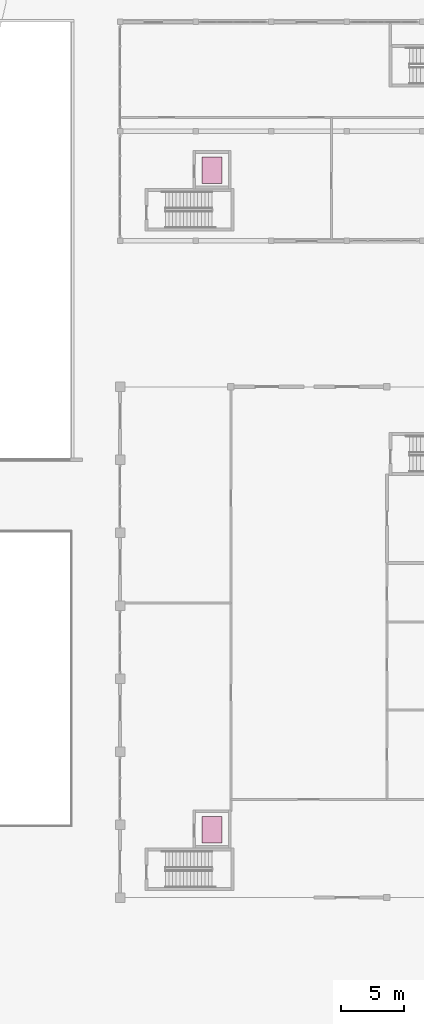
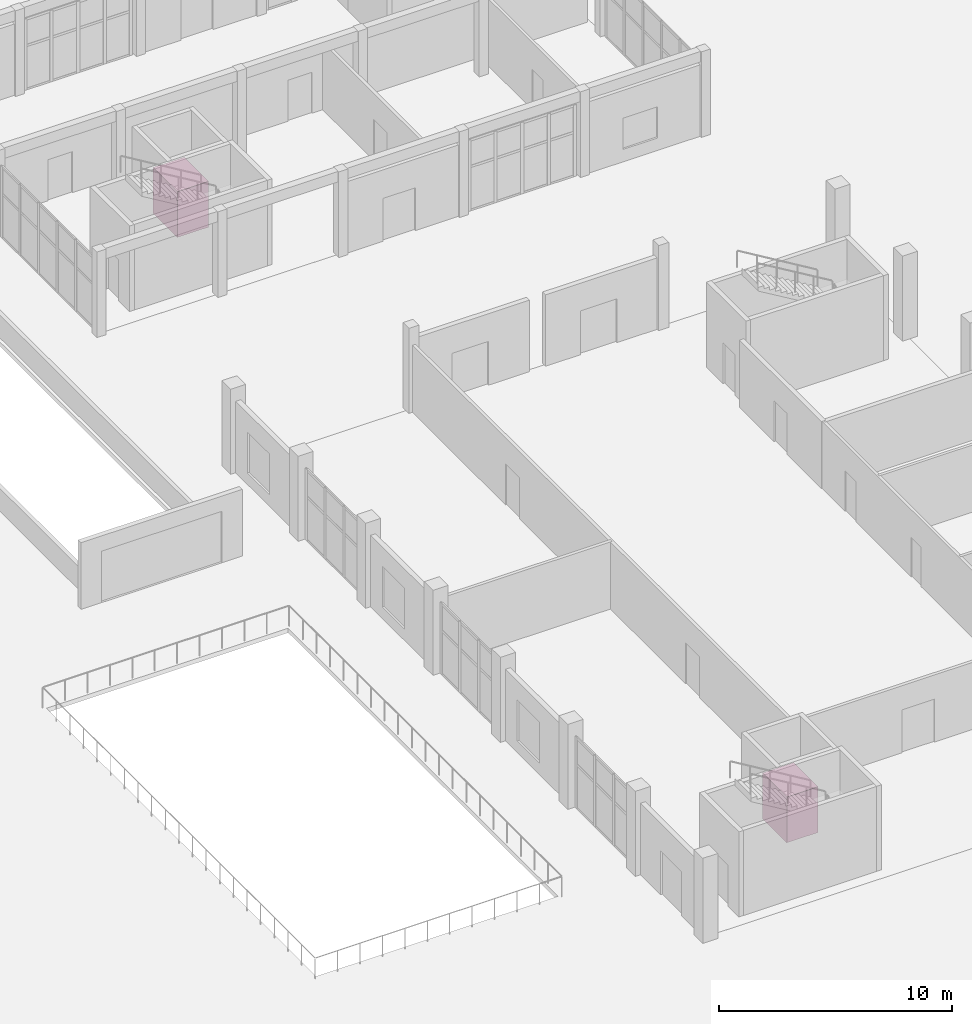
# One storey, part 132 of 132: 2 transport elements.
"""IFC4 building model written with IfcOpenShell, lengths in metres."""

from ifc_helpers import new_model, si_unit, direction, frame, origin, origin_2d, place, context, subcontext, project, spatial, rectangle, extrude, material, type_object, element, save


model = new_model("IFC4")

# Units and contexts
model_context = context("Model", 3, precision=1e-05, world=origin(), true_north=direction((0.0, 1.0)))
body_context = subcontext(model_context, "Body", "Model", "MODEL_VIEW")
ifc_project = project(units=[si_unit("LENGTHUNIT", "METRE"), si_unit("AREAUNIT", "SQUARE_METRE"), si_unit("VOLUMEUNIT", "CUBIC_METRE"), si_unit("PLANEANGLEUNIT", "RADIAN"), si_unit("MASSUNIT", "GRAM", prefix="KILO")], contexts=[model_context])

# Site, building, storey
site_placement = place(None, origin())
site = spatial("IfcSite", under=ifc_project, at=site_placement, CompositionType="ELEMENT")
building_placement = place(site_placement, origin())
building = spatial("IfcBuilding", under=site, at=building_placement, Name="Tanwirah Colonnade Gardens", CompositionType="ELEMENT")
storey_placement = place(building_placement, origin())
storey = spatial("IfcBuildingStorey", under=building, at=storey_placement, Name="L00", CompositionType="ELEMENT", Elevation=0.0)

# Transport elements
ifc_material = material(Name="Stainless steel pavilion accessible cab", Category="steel")
transport_element_type = type_object("IfcTransportElementType", Name="LIFT-PV1275", PredefinedType="ELEVATOR", material=ifc_material)
for number, where, z_axis, x_axis, name in (
    (1, (85.300048828125, 45.199951171875, 0.0), (0.0, 0.0, 1.0), (1.0, 0.0, 0.0), "Passenger Lift PL-H1"),
    (2, (85.300048828125, 97.60009765625, 0.0), (0.0, 0.0, 1.0), (1.0, 0.0, 0.0), "Passenger Lift PL-N1"),
):
    element("IfcTransportElement", number, at=place(storey_placement, frame(where, z_axis=z_axis, x_axis=x_axis)), inside=storey, type_object=transport_element_type, Name=name, PredefinedType="ELEVATOR", context=body_context, shape_type="SweptSolid", body=[
        extrude(rectangle(XDim=1.550048828125, YDim=2.10009765625, at=origin_2d()), origin(), (0.0, 0.0, 1.0), 2.39990234375),
    ])

save(model, "model.ifc")
